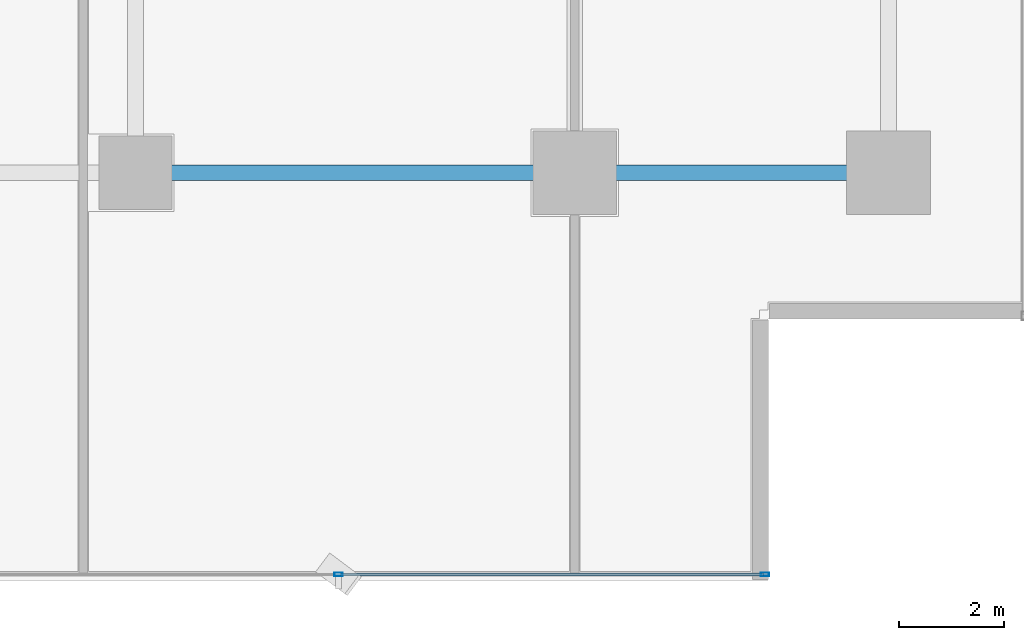
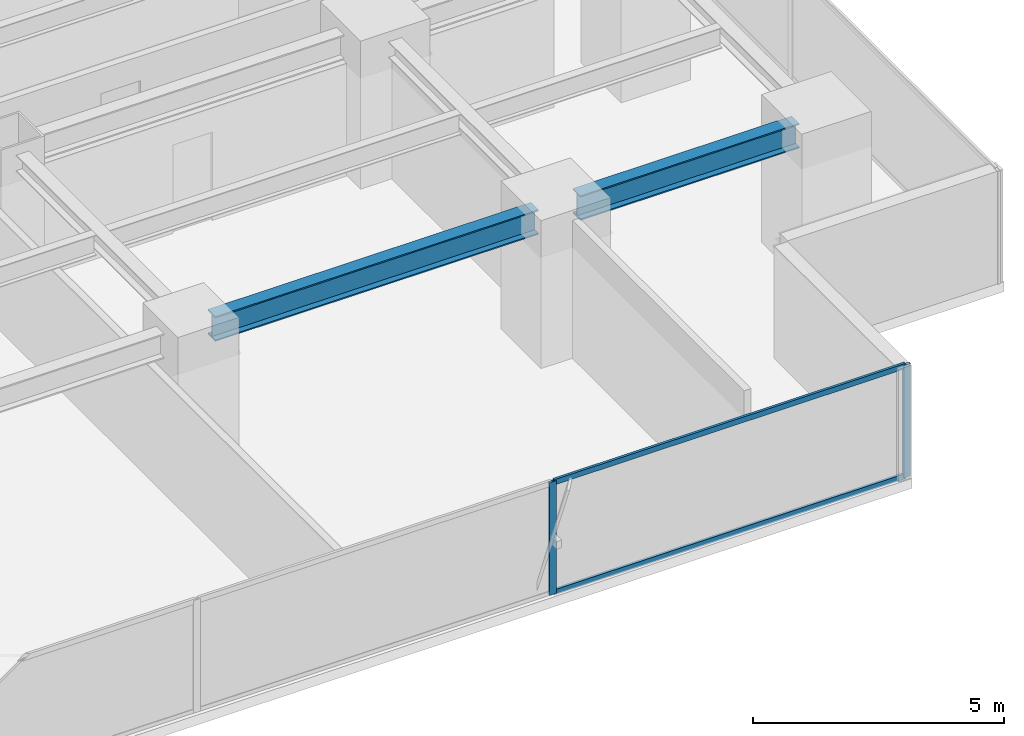
# One storey, part 12 of 37: 4 members, 2 beams, 1 element without a shape of its own.
"""IFC4 building model written with IfcOpenShell, lengths in metres."""

from ifc_helpers import new_model, si_unit, direction, frame, origin, origin_2d, place, context, subcontext, project, spatial, hollow_rectangle, i_section, extrude, source, transform, mapped, material, layer, layer_set, material_profile, profile_set, type_object, element, aggregate, save


model = new_model("IFC4")

# Units and contexts
model_context = context("Model", 3, precision=1e-05, world=origin(), true_north=direction((0.0, 1.0)))
body_context = subcontext(model_context, "Body", "Model", "MODEL_VIEW")
ifc_project = project(units=[si_unit("LENGTHUNIT", "METRE"), si_unit("AREAUNIT", "SQUARE_METRE"), si_unit("VOLUMEUNIT", "CUBIC_METRE"), si_unit("PLANEANGLEUNIT", "RADIAN"), si_unit("MASSUNIT", "GRAM", prefix="KILO")], contexts=[model_context])

# Site, building, storey
site_placement = place(None, origin())
site = spatial("IfcSite", under=ifc_project, at=site_placement, CompositionType="ELEMENT")
building_placement = place(site_placement, origin())
building = spatial("IfcBuilding", under=site, at=building_placement, Name="Sumidabori Civic Tower", CompositionType="ELEMENT")
storey_placement = place(building_placement, frame((0.0, 0.0, 110.0)))
storey = spatial("IfcBuildingStorey", under=building, at=storey_placement, Name="L28", CompositionType="ELEMENT", Elevation=110.0)

# Beams
ifc_material_1 = material(Name="Steel SN490", Category="steel")
ifc_material_profile_1 = material_profile(ifc_material_1, i_section(OverallWidth=0.300048828125, OverallDepth=0.60009765625, WebThickness=0.015380859375, FlangeThickness=0.030029296875, at=origin_2d()), Name="HE 600 B")
ifc_profile_set_1 = profile_set([ifc_material_profile_1], Name="Steel SN490")
beam_type = type_object("IfcBeamType", Name="BM-GIRD-600", PredefinedType="BEAM", material=ifc_profile_set_1)
shared_shape_1 = source(origin(), body_context, "Body", "SweptSolid", [
    extrude(i_section(OverallWidth=0.300048828125, OverallDepth=0.60009765625, WebThickness=0.015380859375, FlangeThickness=0.030029296875, at=origin_2d()), origin(), (0.0, 0.0, 1.0), 5.0400390625),
])
beam_1_placement = place(storey_placement, frame((17.280029296875, -18.0, 3.06005859375), z_axis=(1.0, 0.0, 0.0), x_axis=(0.0, 1.0, 0.0)))
element("IfcBeam", 1, at=beam_1_placement, inside=storey, type_object=beam_type, Name="Primary Girder L28 GX-06", PredefinedType="BEAM", context=body_context, shape_type="MappedRepresentation", body=[
    mapped(shared_shape_1, transform((0.0, 0.0, 0.0), x_axis=(1.0, 0.0, 0.0), y_axis=(0.0, 1.0, 0.0), z_axis=(0.0, 0.0, 1.0), scale=1.0)),
])
shared_shape_2 = source(origin(), body_context, "Body", "SweptSolid", [
    extrude(i_section(OverallWidth=0.300048828125, OverallDepth=0.60009765625, WebThickness=0.015380859375, FlangeThickness=0.030029296875, at=origin_2d()), origin(), (0.0, 0.0, 1.0), 7.440185546875),
])
beam_2_placement = place(storey_placement, frame((8.8798828125, -18.0, 3.06005859375), z_axis=(1.0, 0.0, 0.0), x_axis=(0.0, 1.0, 0.0)))
element("IfcBeam", 2, at=beam_2_placement, inside=storey, type_object=beam_type, Name="Primary Girder L28 GX-05", PredefinedType="BEAM", context=body_context, shape_type="MappedRepresentation", body=[
    mapped(shared_shape_2, transform((0.0, 0.0, 0.0), x_axis=(1.0, 0.0, 0.0), y_axis=(0.0, 1.0, 0.0), z_axis=(0.0, 0.0, 1.0), scale=1.0)),
])

# Curtain wall, members
ifc_material_2 = material(Name="Anodised Bronze Aluminium AW-6063-T6", Category="aluminium")
ifc_layer = layer(ifc_material_2, 0.179931640625, Name="Anodised Bronze Aluminium AW-6063-T6")
ifc_layer_set = layer_set([ifc_layer], Name="Anodised Bronze Aluminium AW-6063-T6")
curtain_wall_type = type_object("IfcCurtainWallType", Name="CW-SYS-3", PredefinedType="NOTDEFINED", material=ifc_layer_set)
curtain_wall_placement = place(storey_placement, origin())
curtain_wall = element("IfcCurtainWall", 3, at=curtain_wall_placement, inside=storey, type_object=curtain_wall_type, Name="Curtain Wall CW:L28:R01", PredefinedType="NOTDEFINED")
ifc_material_profile_2 = material_profile(ifc_material_2, hollow_rectangle(XDim=0.06494140625, YDim=0.159912109375, WallThickness=0.0048828125, at=origin_2d()), Name="ALU MULLION 160x65")
ifc_profile_set_2 = profile_set([ifc_material_profile_2], Name="Anodised Bronze Aluminium AW-6063-T6")
member_type_1 = type_object("IfcMemberType", Name="CW-MUL-160", PredefinedType="MULLION", material=ifc_profile_set_2)
shared_shape_3 = source(origin(), body_context, "Body", "SweptSolid", [
    extrude(hollow_rectangle(XDim=0.06494140625, YDim=0.159912109375, WallThickness=0.0048828125, at=origin_2d()), origin(), (0.0, 0.0, 1.0), 2.739990234375),
])
member_1_placement = place(storey_placement, frame((12.281982421875, -25.679931640625, 0.0), z_axis=(0.0, 0.0, 1.0), x_axis=(0.0, 1.0, 0.0)))
member_1 = element("IfcMember", 4, at=member_1_placement, type_object=member_type_1, Name="CW-3 mullion 5", PredefinedType="MULLION", context=body_context, shape_type="MappedRepresentation", body=[
    mapped(shared_shape_3, transform((0.0, 0.0, 0.0), x_axis=(1.0, 0.0, 0.0), y_axis=(0.0, 1.0, 0.0), z_axis=(0.0, 0.0, 1.0), scale=1.0)),
])
member_2_placement = place(storey_placement, frame((20.4375, -25.679931640625, 0.0), z_axis=(0.0, 0.0, 1.0), x_axis=(0.0, 1.0, 0.0)))
member_2 = element("IfcMember", 5, at=member_2_placement, type_object=member_type_1, Name="CW-3 mullion 6", PredefinedType="MULLION", context=body_context, shape_type="MappedRepresentation", body=[
    mapped(shared_shape_3, transform((0.0, 0.0, 0.0), x_axis=(1.0, 0.0, 0.0), y_axis=(0.0, 1.0, 0.0), z_axis=(0.0, 0.0, 1.0), scale=1.0)),
])
ifc_material_profile_3 = material_profile(ifc_material_2, hollow_rectangle(XDim=0.06005859375, YDim=0.1298828125, WallThickness=0.0048828125, at=origin_2d()), Name="ALU TRANSOM 130x60")
ifc_profile_set_3 = profile_set([ifc_material_profile_3], Name="Anodised Bronze Aluminium AW-6063-T6")
member_type_2 = type_object("IfcMemberType", Name="CW-TRN-130", PredefinedType="USERDEFINED", material=ifc_profile_set_3)
shared_shape_4 = source(origin(), body_context, "Body", "SweptSolid", [
    extrude(hollow_rectangle(XDim=0.06005859375, YDim=0.1298828125, WallThickness=0.0048828125, at=origin_2d()), origin(), (0.0, 0.0, 1.0), 8.090576171875),
])
member_3_placement = place(storey_placement, frame((12.314453125, -25.679931640625, 0.030029296875), z_axis=(1.0, 0.0, 0.0), x_axis=(0.0, 1.0, 0.0)))
member_3 = element("IfcMember", 6, at=member_3_placement, type_object=member_type_2, Name="CW-3 transom 5.1", ObjectType="TRANSOM", PredefinedType="USERDEFINED", context=body_context, shape_type="MappedRepresentation", body=[
    mapped(shared_shape_4, transform((0.0, 0.0, 0.0), x_axis=(1.0, 0.0, 0.0), y_axis=(0.0, 1.0, 0.0), z_axis=(0.0, 0.0, 1.0), scale=1.0)),
])
member_4_placement = place(storey_placement, frame((12.314453125, -25.679931640625, 2.7099609375), z_axis=(1.0, 0.0, 0.0), x_axis=(0.0, 1.0, 0.0)))
member_4 = element("IfcMember", 7, at=member_4_placement, type_object=member_type_2, Name="CW-3 transom 5.2", ObjectType="TRANSOM", PredefinedType="USERDEFINED", context=body_context, shape_type="MappedRepresentation", body=[
    mapped(shared_shape_4, transform((0.0, 0.0, 0.0), x_axis=(1.0, 0.0, 0.0), y_axis=(0.0, 1.0, 0.0), z_axis=(0.0, 0.0, 1.0), scale=1.0)),
])
aggregate(curtain_wall, [member_1, member_2, member_3, member_4])

save(model, "model.ifc")
